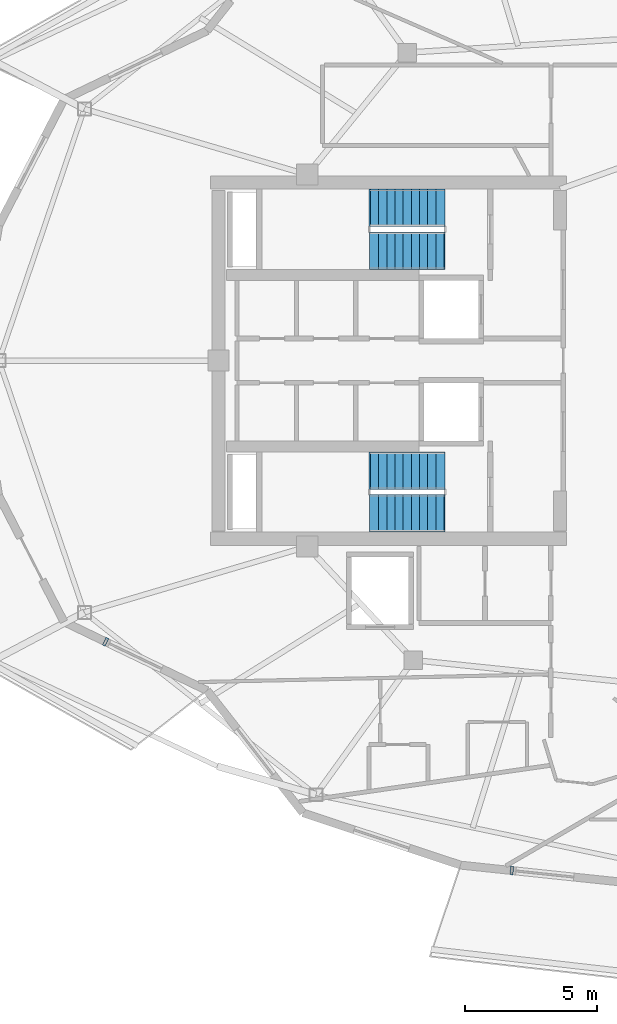
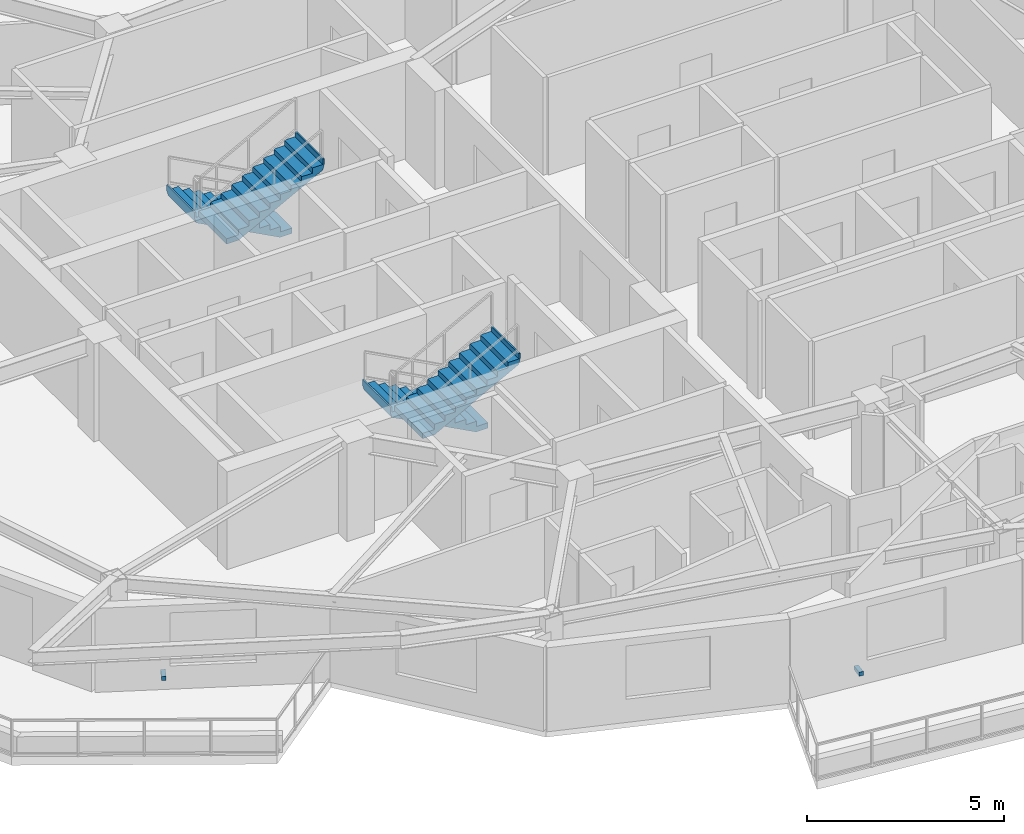
# One storey, part 8 of 18: 4 stair flights, 2 discrete accessories, 2 elements without a shape of their own.
"""IFC4 building model written with IfcOpenShell, lengths in metres."""

import ifcopenshell
import ifcopenshell.guid

model = None  # the IFC model being written
_history = None  # IfcOwnerHistory: only IFC2X3 demands one
_inside = {}  # id of a spatial element -> (the spatial element, [elements in it])
_under = {}  # id of a project, library or spatial element -> (it, [spatial elements below it])
_declared = {}  # id of a project -> (the project, [libraries it declares])
_typed = {}  # id of a type object -> (the type object, [elements of that type])
_made_of = {}  # id of a material, layer set ... -> (it, [elements and type objects made of it])


def new_model(schema):
    """Start an empty IFC model of exactly this schema.

    Asked for "IFC4X3", IfcOpenShell would pick the latest addendum, in which some entities
    have other attributes; the version numbers below select the first issue.
    IFC2X3 requires an IfcOwnerHistory on every rooted entity: one is made here for all.
    """
    global model, _history
    if schema == "IFC4X3":
        model = ifcopenshell.file(schema_version=(4, 3, 0, 0))
    else:
        model = ifcopenshell.file(schema=schema)
    _inside.clear()
    _under.clear()
    _declared.clear()
    _typed.clear()
    _made_of.clear()
    _history = None
    if model.schema == "IFC2X3":
        org = make("IfcOrganization", Name="unknown")
        user = make(
            "IfcPersonAndOrganization",
            ThePerson=make("IfcPerson", FamilyName="unknown"),
            TheOrganization=org,
        )
        app = make(
            "IfcApplication",
            ApplicationDeveloper=org,
            Version="unknown",
            ApplicationFullName="unknown",
            ApplicationIdentifier="unknown",
        )
        _history = make(
            "IfcOwnerHistory",
            OwningUser=user,
            OwningApplication=app,
            ChangeAction="ADDED",
            CreationDate=0,
        )
    return model


def make(cls, **values):
    """One entity of the class cls with the attributes given. An attribute that is None is left unset."""
    return model.create_entity(
        cls, **{name: value for name, value in values.items() if value is not None}
    )


def rooted(cls, **values):
    """An entity with a GlobalId (a new one), such as an element, a storey or a relation."""
    return make(cls, GlobalId=ifcopenshell.guid.new(), OwnerHistory=_history, **values)


def si_unit(unit_type, name, prefix=None):
    """IfcSIUnit, for example si_unit("LENGTHUNIT", "METRE", prefix="MILLI")."""
    return make("IfcSIUnit", UnitType=unit_type, Prefix=prefix, Name=name)


def assignment(units):
    """IfcUnitAssignment: the units of a project."""
    return None if units is None else make("IfcUnitAssignment", Units=units)


def point(xyz):
    """IfcCartesianPoint."""
    return None if xyz is None else make("IfcCartesianPoint", Coordinates=xyz)


def direction(xyz):
    """IfcDirection."""
    return None if xyz is None else make("IfcDirection", DirectionRatios=xyz)


def frame(location, z_axis=None, x_axis=None):
    """IfcAxis2Placement3D, a coordinate frame: its origin and axes. An axis left out is left unset."""
    return make(
        "IfcAxis2Placement3D",
        Location=point(location),
        Axis=direction(z_axis),
        RefDirection=direction(x_axis),
    )


def frame_2d(location, x_axis=None):
    """IfcAxis2Placement2D, a coordinate frame in the plane: its origin and x axis."""
    return make(
        "IfcAxis2Placement2D", Location=point(location), RefDirection=direction(x_axis)
    )


def origin():
    """The frame at (0, 0, 0) with its axes left unset."""
    return frame((0.0, 0.0, 0.0))


def origin_2d():
    """The frame at (0, 0) in the plane with its x axis left unset."""
    return frame_2d((0.0, 0.0))


def place(relative_to, where):
    """IfcLocalPlacement: puts the frame where relative to a parent placement (None: the world)."""
    return make(
        "IfcLocalPlacement", PlacementRelTo=relative_to, RelativePlacement=where
    )


def context(
    kind, dimensions, precision=None, world=None, true_north=None, identifier=None
):
    """IfcGeometricRepresentationContext, for example the 3D "Model" context."""
    return make(
        "IfcGeometricRepresentationContext",
        ContextIdentifier=identifier,
        ContextType=kind,
        CoordinateSpaceDimension=dimensions,
        Precision=precision,
        WorldCoordinateSystem=world,
        TrueNorth=true_north,
    )


def subcontext(parent, identifier, kind, view, scale=None):
    """IfcGeometricRepresentationSubContext, for example "Body" below "Model"."""
    return make(
        "IfcGeometricRepresentationSubContext",
        ContextIdentifier=identifier,
        ContextType=kind,
        ParentContext=parent,
        TargetScale=scale,
        TargetView=view,
    )


def project(units=None, contexts=None):
    """IfcProject with its units and contexts."""
    return rooted(
        "IfcProject",
        Name="project",
        RepresentationContexts=contexts,
        UnitsInContext=assignment(units),
    )


def spatial(cls, under=None, at=None, **own):
    """A site, building, storey or space (cls), placed at a placement, below another one or the project."""
    s = rooted(cls, ObjectPlacement=at, **own)
    if under is not None:
        _under.setdefault(under.id(), (under, []))[1].append(s)
    return s


def polyline(points):
    """IfcPolyline through the points."""
    return make("IfcPolyline", Points=[point(p) for p in points])


def profile(cls, at=None, kind="AREA", **sizes):
    """A parametric profile (cls). Its sizes go by their IFC names, for example OverallWidth=200.0."""
    return make(cls, ProfileType=kind, Position=at, **sizes)


def rectangle(**sizes):
    """IfcRectangleProfileDef."""
    return profile("IfcRectangleProfileDef", **sizes)


def outline(outer, holes=None, kind="AREA"):
    """IfcArbitraryClosedProfileDef: a profile drawn as a closed curve; with holes, ...WithVoids."""
    if holes is None:
        return make("IfcArbitraryClosedProfileDef", ProfileType=kind, OuterCurve=outer)
    return make(
        "IfcArbitraryProfileDefWithVoids",
        ProfileType=kind,
        OuterCurve=outer,
        InnerCurves=holes,
    )


def extrude(swept, where, along, depth):
    """IfcExtrudedAreaSolid: the profile swept, set in the frame where, extruded along a direction by depth."""
    return make(
        "IfcExtrudedAreaSolid",
        SweptArea=swept,
        Position=where,
        ExtrudedDirection=direction(along),
        Depth=depth,
    )


def shape(context_of_items, identifier, shape_type, items):
    """IfcShapeRepresentation: the items that make up one representation, for example the "Body"."""
    return make(
        "IfcShapeRepresentation",
        ContextOfItems=context_of_items,
        RepresentationIdentifier=identifier,
        RepresentationType=shape_type,
        Items=items,
    )


def material(Name=None, Category=None):
    """IfcMaterial."""
    return make("IfcMaterial", Name=Name, Category=Category)


def made_of(thing, what):
    """Note that an element or type object is made of a material, layer set ...; save() writes the relation."""
    if what is not None:
        _made_of.setdefault(what.id(), (what, []))[1].append(thing)
    return thing


def type_object(cls, material=None, **own):
    """A type object (cls), such as IfcWallType, which elements share."""
    return made_of(rooted(cls, **own), material)


def element(
    cls,
    number,
    at=None,
    inside=None,
    cuts=None,
    type_object=None,
    material=None,
    context=None,
    identifier="Body",
    shape_type=None,
    held_by="IfcProductDefinitionShape",
    body=None,
    shapes=None,
    **own,
):
    """One element of the class cls, such as IfcWall. Its Tag is "e" and its number.

    at: its placement. inside: the storey or other place that contains it. cuts: it is an
    opening in that element (IfcRelVoidsElement). A single representation is given by context,
    identifier, shape_type and body (its items); several are given by shapes. held_by: the class
    of the entity that holds the representations. save() writes the other relations.
    """
    e = rooted(cls, Tag="e%d" % number, ObjectPlacement=at, **own)
    if body is not None:
        shapes = [shape(context, identifier, shape_type, body)]
    if shapes is not None:
        e.Representation = make(held_by, Representations=shapes)
    if inside is not None:
        _inside.setdefault(inside.id(), (inside, []))[1].append(e)
    if cuts is not None:
        rooted(
            "IfcRelVoidsElement", RelatingBuildingElement=cuts, RelatedOpeningElement=e
        )
    if type_object is not None:
        _typed.setdefault(type_object.id(), (type_object, []))[1].append(e)
    return made_of(e, material)


def aggregate(whole, parts):
    """IfcRelAggregates: a whole, such as a stair, and the parts it consists of."""
    return rooted("IfcRelAggregates", RelatingObject=whole, RelatedObjects=parts)


def save(model, path):
    """Write the relations noted so far, then the file.

    IfcRelAggregates (storeys below a building ...), IfcRelContainedInSpatialStructure (elements
    in a storey), IfcRelDefinesByType, IfcRelAssociatesMaterial and IfcRelDeclares: one each for
    every whole, place, type object, material and project.
    """
    for whole, parts in _under.values():
        aggregate(whole, parts)
    for where, things in _inside.values():
        rooted(
            "IfcRelContainedInSpatialStructure",
            RelatedElements=things,
            RelatingStructure=where,
        )
    for kind, things in _typed.values():
        rooted("IfcRelDefinesByType", RelatedObjects=things, RelatingType=kind)
    for what, things in _made_of.values():
        rooted("IfcRelAssociatesMaterial", RelatedObjects=things, RelatingMaterial=what)
    for by, libraries in _declared.values():
        rooted("IfcRelDeclares", RelatingContext=by, RelatedDefinitions=libraries)
    model.write(path)


model = new_model("IFC4")

# Units and contexts
model_context = context("Model", 3, precision=1e-05, world=origin(), true_north=direction((0.0, 1.0)))
body_context = subcontext(model_context, "Body", "Model", "MODEL_VIEW")
ifc_project = project(units=[si_unit("LENGTHUNIT", "METRE"), si_unit("AREAUNIT", "SQUARE_METRE"), si_unit("VOLUMEUNIT", "CUBIC_METRE"), si_unit("PLANEANGLEUNIT", "RADIAN"), si_unit("MASSUNIT", "GRAM", prefix="KILO")], contexts=[model_context])

# Site, building, storey
site_placement = place(None, origin())
site = spatial("IfcSite", under=ifc_project, at=site_placement, CompositionType="ELEMENT")
building_placement = place(site_placement, origin())
building = spatial("IfcBuilding", under=site, at=building_placement, Name="Kolvaren Gate Tower and Convention Centre", CompositionType="ELEMENT")
storey_placement = place(building_placement, frame((0.0, 0.0, 229.39990234375)))
storey = spatial("IfcBuildingStorey", under=building, at=storey_placement, Name="L61", CompositionType="ELEMENT", Elevation=229.39990234375)

# Stair, stair flights
ifc_material_1 = material(Name="Concrete C50/60", Category="concrete")
stair_type = type_object("IfcStairType", Name="STR-STAIR-CORE", PredefinedType="HALF_TURN_STAIR", material=ifc_material_1)
stair_1_placement = place(storey_placement, origin())
stair_1 = element("IfcStair", 1, at=stair_1_placement, inside=storey, type_object=stair_type, Name="L61 Tower North Exit Stair ST-T1", PredefinedType="HALF_TURN_STAIR")
stair_flight_type = type_object("IfcStairFlightType", Name="STR-SFL-1420", PredefinedType="STRAIGHT", material=ifc_material_1)
stair_flight_1_placement = place(storey_placement, frame((23.10009765625, 32.7900390625, 0.0), z_axis=(0.0, 0.0, 1.0), x_axis=(-1.0, 0.0, 0.0)))
stair_flight_1 = element("IfcStairFlight", 2, at=stair_flight_1_placement, type_object=stair_flight_type, Name="ST-T1 flight 1", NumberOfRisers=10, NumberOfTreads=9, PredefinedType="STRAIGHT", RiserHeight=0.165, TreadLength=0.31, context=body_context, shape_type="SweptSolid", body=[
    extrude(outline(polyline([(-0.034912109375, 0.0), (-0.034912109375, 0.1650390625), (0.31005859375, 0.1650390625), (0.31005859375, 0.330078125), (0.6201171875, 0.330078125), (0.6201171875, 0.4951171875), (0.929931640625, 0.4951171875), (0.929931640625, 0.659912109375), (1.239990234375, 0.659912109375), (1.239990234375, 0.824951171875), (1.550048828125, 0.824951171875), (1.550048828125, 0.989990234375), (1.860107421875, 0.989990234375), (1.860107421875, 1.155029296875), (2.169921875, 1.155029296875), (2.169921875, 1.320068359375), (2.47998046875, 1.320068359375), (2.47998046875, 1.485107421875), (2.7900390625, 1.485107421875), (2.7900390625, 1.64990234375), (2.8349609375, 1.64990234375), (2.8349609375, 1.489990234375), (2.7900390625, 1.315185546875), (0.319091796875, 0.0), (-0.034912109375, 0.0)])), frame((0.0, 0.7099609375, 0.0), z_axis=(0.0, -1.0, 0.0), x_axis=(1.0, 0.0, 0.0)), (0.0, 0.0, 1.0), 1.419921875),
])
stair_flight_2_placement = place(storey_placement, frame((20.31005859375, 31.169921875, 1.650146484375), z_axis=(0.0, 0.0, 1.0), x_axis=(1.0, 0.0, 0.0)))
stair_flight_2 = element("IfcStairFlight", 3, at=stair_flight_2_placement, type_object=stair_flight_type, Name="ST-T1 flight 2", NumberOfRisers=10, NumberOfTreads=9, PredefinedType="STRAIGHT", RiserHeight=0.165, TreadLength=0.31, context=body_context, shape_type="SweptSolid", body=[
    extrude(outline(polyline([(-0.034912109375, 0.0), (-0.034912109375, 0.1650390625), (0.31005859375, 0.1650390625), (0.31005859375, 0.330078125), (0.6201171875, 0.330078125), (0.6201171875, 0.4951171875), (0.929931640625, 0.4951171875), (0.929931640625, 0.659912109375), (1.239990234375, 0.659912109375), (1.239990234375, 0.824951171875), (1.550048828125, 0.824951171875), (1.550048828125, 0.989990234375), (1.860107421875, 0.989990234375), (1.860107421875, 1.155029296875), (2.169921875, 1.155029296875), (2.169921875, 1.320068359375), (2.47998046875, 1.320068359375), (2.47998046875, 1.485107421875), (2.7900390625, 1.485107421875), (2.7900390625, 1.64990234375), (2.8349609375, 1.64990234375), (2.8349609375, 1.489990234375), (2.7900390625, 1.315185546875), (0.319091796875, 0.0), (-0.034912109375, 0.0)])), frame((0.0, 0.7099609375, 0.0), z_axis=(0.0, -1.0, 0.0), x_axis=(1.0, 0.0, 0.0)), (0.0, 0.0, 1.0), 1.419921875),
])
aggregate(stair_1, [stair_flight_1, stair_flight_2])

stair_2_placement = place(storey_placement, origin())
stair_2 = element("IfcStair", 4, at=stair_2_placement, inside=storey, type_object=stair_type, Name="L61 Tower South Exit Stair ST-T2", PredefinedType="HALF_TURN_STAIR")
stair_flight_3_placement = place(storey_placement, frame((23.10009765625, 22.830078125, 0.0), z_axis=(0.0, 0.0, 1.0), x_axis=(-1.0, 0.0, 0.0)))
stair_flight_3 = element("IfcStairFlight", 5, at=stair_flight_3_placement, type_object=stair_flight_type, Name="ST-T2 flight 1", NumberOfRisers=10, NumberOfTreads=9, PredefinedType="STRAIGHT", RiserHeight=0.165, TreadLength=0.31, context=body_context, shape_type="SweptSolid", body=[
    extrude(outline(polyline([(-0.034912109375, 0.0), (-0.034912109375, 0.1650390625), (0.31005859375, 0.1650390625), (0.31005859375, 0.330078125), (0.6201171875, 0.330078125), (0.6201171875, 0.4951171875), (0.929931640625, 0.4951171875), (0.929931640625, 0.659912109375), (1.239990234375, 0.659912109375), (1.239990234375, 0.824951171875), (1.550048828125, 0.824951171875), (1.550048828125, 0.989990234375), (1.860107421875, 0.989990234375), (1.860107421875, 1.155029296875), (2.169921875, 1.155029296875), (2.169921875, 1.320068359375), (2.47998046875, 1.320068359375), (2.47998046875, 1.485107421875), (2.7900390625, 1.485107421875), (2.7900390625, 1.64990234375), (2.8349609375, 1.64990234375), (2.8349609375, 1.489990234375), (2.7900390625, 1.315185546875), (0.319091796875, 0.0), (-0.034912109375, 0.0)])), frame((0.0, 0.7099609375, 0.0), z_axis=(0.0, -1.0, 0.0), x_axis=(1.0, 0.0, 0.0)), (0.0, 0.0, 1.0), 1.419921875),
])
stair_flight_4_placement = place(storey_placement, frame((20.31005859375, 21.2099609375, 1.650146484375), z_axis=(0.0, 0.0, 1.0), x_axis=(1.0, 0.0, 0.0)))
stair_flight_4 = element("IfcStairFlight", 6, at=stair_flight_4_placement, type_object=stair_flight_type, Name="ST-T2 flight 2", NumberOfRisers=10, NumberOfTreads=9, PredefinedType="STRAIGHT", RiserHeight=0.165, TreadLength=0.31, context=body_context, shape_type="SweptSolid", body=[
    extrude(outline(polyline([(-0.034912109375, 0.0), (-0.034912109375, 0.1650390625), (0.31005859375, 0.1650390625), (0.31005859375, 0.330078125), (0.6201171875, 0.330078125), (0.6201171875, 0.4951171875), (0.929931640625, 0.4951171875), (0.929931640625, 0.659912109375), (1.239990234375, 0.659912109375), (1.239990234375, 0.824951171875), (1.550048828125, 0.824951171875), (1.550048828125, 0.989990234375), (1.860107421875, 0.989990234375), (1.860107421875, 1.155029296875), (2.169921875, 1.155029296875), (2.169921875, 1.320068359375), (2.47998046875, 1.320068359375), (2.47998046875, 1.485107421875), (2.7900390625, 1.485107421875), (2.7900390625, 1.64990234375), (2.8349609375, 1.64990234375), (2.8349609375, 1.489990234375), (2.7900390625, 1.315185546875), (0.319091796875, 0.0), (-0.034912109375, 0.0)])), frame((0.0, 0.7099609375, 0.0), z_axis=(0.0, -1.0, 0.0), x_axis=(1.0, 0.0, 0.0)), (0.0, 0.0, 1.0), 1.419921875),
])
aggregate(stair_2, [stair_flight_3, stair_flight_4])

# Discrete accessories
ifc_material_2 = material(Name="Anodized Architectural Aluminium Alloy 6063-T6", Category="aluminium")
discrete_accessory_type = type_object("IfcDiscreteAccessoryType", Name="ARCH-ACC-BRACKET-120", PredefinedType="BRACKET", material=ifc_material_2)
for number, where, z_axis, x_axis, name in (
    (7, (10.268310546875, 16.342041015625, 0.2900390625), (0.0, 0.0, 1.0), (0.90135914581, -0.433072384555, 0.0), "Ceramic Fin Wall Anchor Bracket FBK-L61-14"),
    (8, (25.66943359375, 7.669189453125, 0.2900390625), (0.0, 0.0, 1.0), (0.994498884311, -0.104747167526, 0.0), "Ceramic Fin Wall Anchor Bracket FBK-L61-17"),
):
    element("IfcDiscreteAccessory", number, at=place(storey_placement, frame(where, z_axis=z_axis, x_axis=x_axis)), inside=storey, type_object=discrete_accessory_type, Name=name, PredefinedType="BRACKET", context=body_context, shape_type="SweptSolid", body=[
        extrude(rectangle(XDim=0.1201171875, YDim=0.320068359375, at=origin_2d()), origin(), (0.0, 0.0, 1.0), 0.1201171875),
    ])

save(model, "model.ifc")
